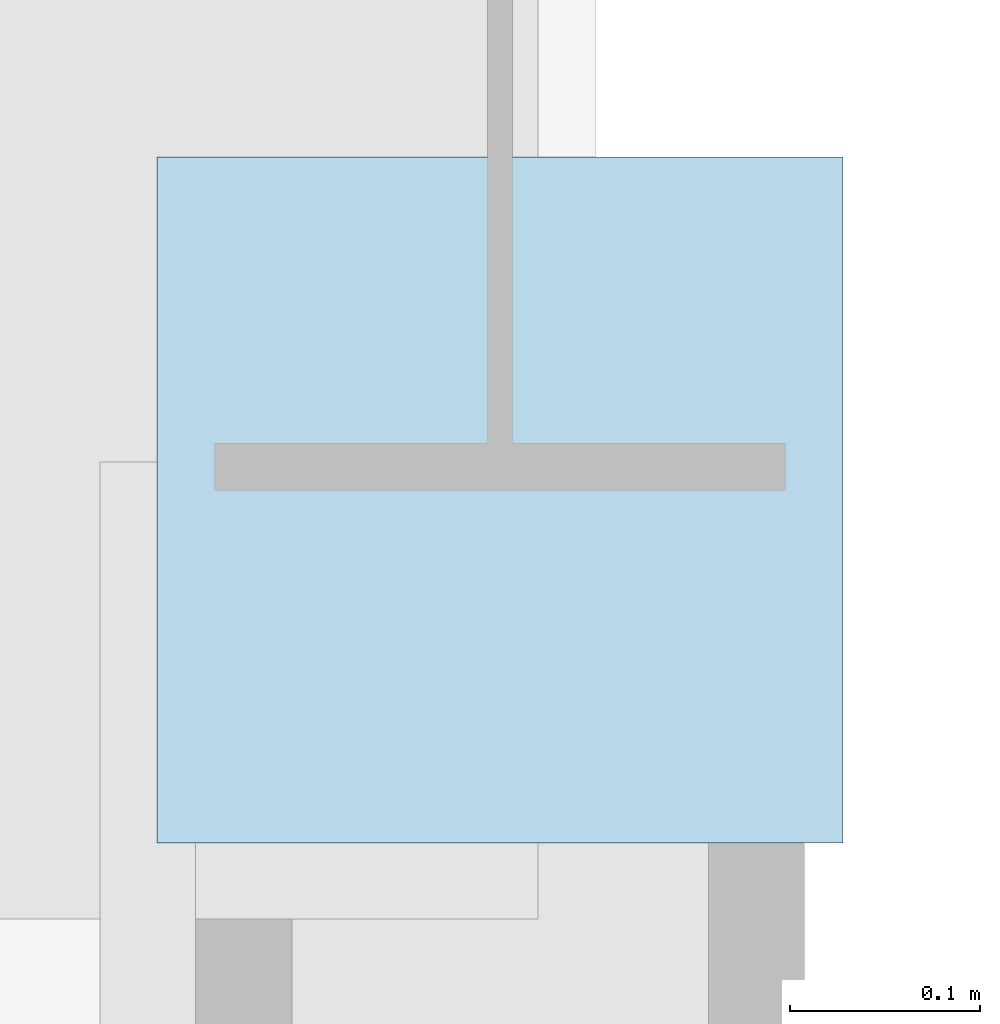
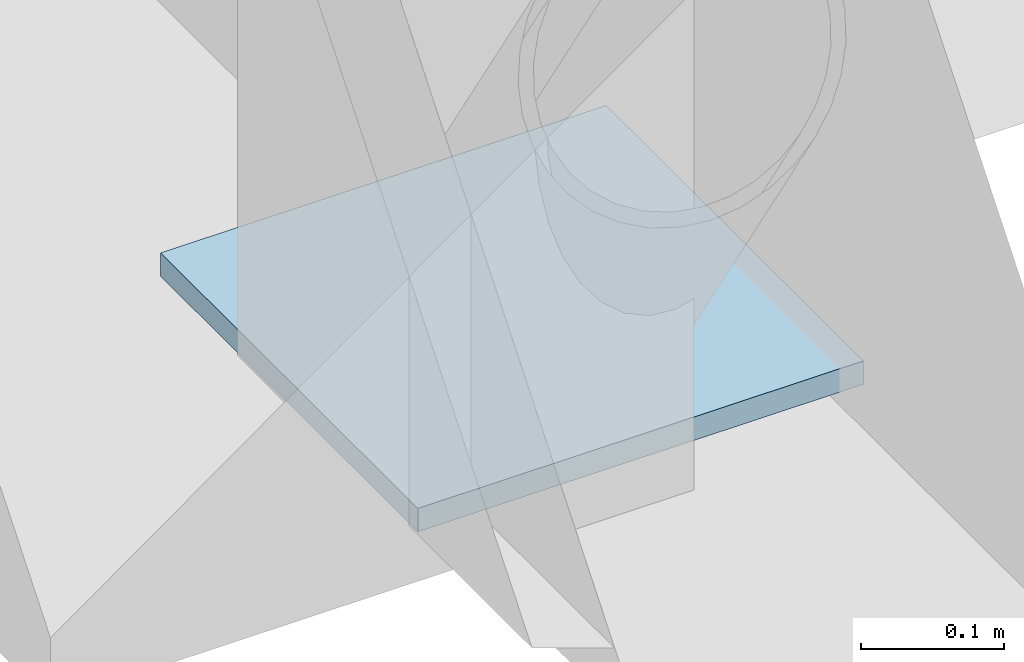
# One storey, part 47 of 80: 1 plate.
"""IFC4 building model written with IfcOpenShell, lengths in metres."""

from ifc_helpers import new_model, si_unit, direction, frame, origin, origin_2d, place, context, subcontext, project, spatial, rectangle, extrude, material, layer, layer_set, type_object, element, save


model = new_model("IFC4")

# Units and contexts
model_context = context("Model", 3, precision=1e-05, world=origin(), true_north=direction((0.0, 1.0)))
body_context = subcontext(model_context, "Body", "Model", "MODEL_VIEW")
ifc_project = project(units=[si_unit("LENGTHUNIT", "METRE"), si_unit("AREAUNIT", "SQUARE_METRE"), si_unit("VOLUMEUNIT", "CUBIC_METRE"), si_unit("PLANEANGLEUNIT", "RADIAN"), si_unit("MASSUNIT", "GRAM", prefix="KILO")], contexts=[model_context])

# Site, building, storey
site_placement = place(None, origin())
site = spatial("IfcSite", under=ifc_project, at=site_placement, CompositionType="ELEMENT")
building_placement = place(site_placement, origin())
building = spatial("IfcBuilding", under=site, at=building_placement, Name="Sardonyx Promenade Sports Hall", CompositionType="ELEMENT")
storey_placement = place(building_placement, frame((0.0, 0.0, 5.60009765625)))
storey = spatial("IfcBuildingStorey", under=building, at=storey_placement, Name="L01", CompositionType="ELEMENT", Elevation=5.60009765625)

# Plate
ifc_material = material(Name="Steel S355JR", Category="steel")
ifc_layer = layer(ifc_material, 0.02001953125)
ifc_layer_set = layer_set([ifc_layer], Name="Plt_EndCap_EC1")
plate_type = type_object("IfcPlateType", Name="Plt_EndCap_EC1", PredefinedType="USERDEFINED", material=ifc_layer_set)
plate_placement = place(storey_placement, frame((0.0, 64.5, 0.010009765625), z_axis=(0.0, 0.0, 1.0), x_axis=(1.0, 0.0, 0.0)))
element("IfcPlate", 1, at=plate_placement, inside=storey, type_object=plate_type, Name="Brace foot end-cap plate EC1 BF2 L01 L2", ObjectType="END CAP PLATE", PredefinedType="USERDEFINED", context=body_context, shape_type="SweptSolid", body=[
    extrude(rectangle(XDim=0.360107421875, YDim=0.360107421875, at=origin_2d()), origin(), (0.0, 0.0, 1.0), 0.02001953125),
])

save(model, "model.ifc")
